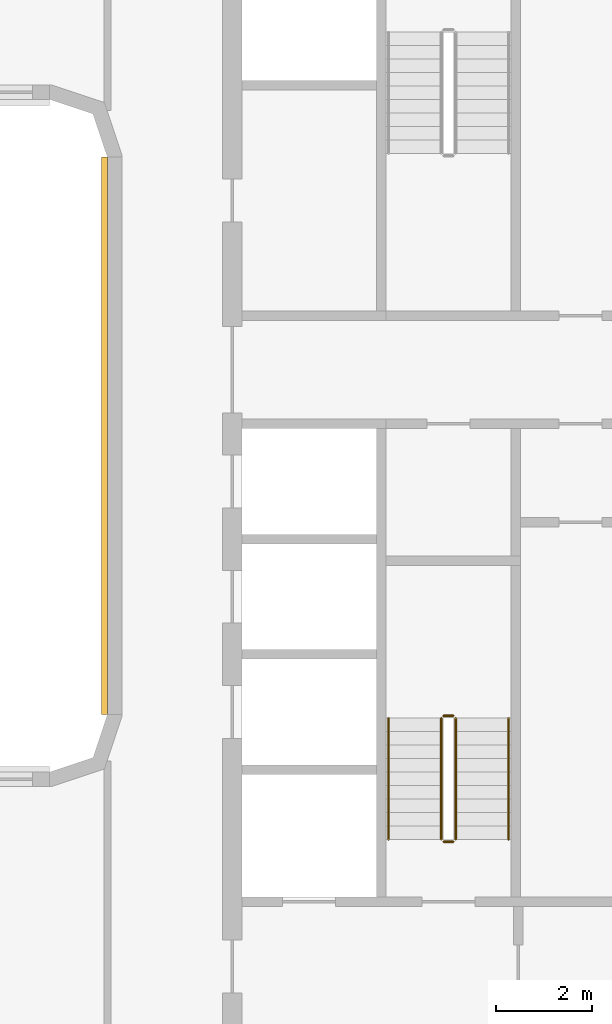
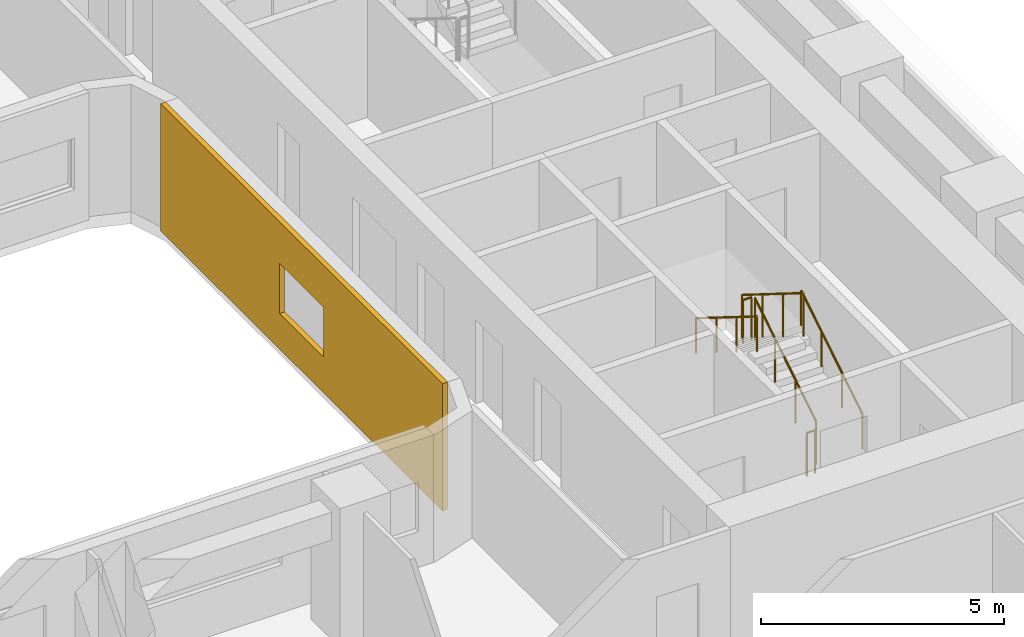
# One storey, part 16 of 21: 6 railings, 1 covering.
"""IFC4 building model written with IfcOpenShell, lengths in metres."""

from ifc_helpers import new_model, si_unit, direction, frame, origin, origin_2d, place, context, subcontext, project, spatial, polyline, circle, outline, extrude, material, layer, layer_set, type_object, element, save


model = new_model("IFC4")

# Units and contexts
model_context = context("Model", 3, precision=1e-05, world=origin(), true_north=direction((0.0, 1.0)))
body_context = subcontext(model_context, "Body", "Model", "MODEL_VIEW")
ifc_project = project(units=[si_unit("LENGTHUNIT", "METRE"), si_unit("AREAUNIT", "SQUARE_METRE"), si_unit("VOLUMEUNIT", "CUBIC_METRE"), si_unit("PLANEANGLEUNIT", "RADIAN"), si_unit("MASSUNIT", "GRAM", prefix="KILO")], contexts=[model_context])

# Site, building, storey
site_placement = place(None, origin())
site = spatial("IfcSite", under=ifc_project, at=site_placement, CompositionType="ELEMENT")
building_placement = place(site_placement, origin())
building = spatial("IfcBuilding", under=site, at=building_placement, Name="Kiln Ring Residences", CompositionType="ELEMENT")
storey_placement = place(building_placement, frame((0.0, 0.0, 34.0)))
storey = spatial("IfcBuildingStorey", under=building, at=storey_placement, Name="L07", CompositionType="ELEMENT", Elevation=34.0)

# Railings
ifc_material_1 = material(Name="Stainless steel", Category="steel")
railing_type_1 = type_object("IfcRailingType", Name="CORE-STAIR-GUARD", PredefinedType="GUARDRAIL", material=ifc_material_1)
railing_1_placement = place(storey_placement, frame((22.25, -8.39990234375, 0.175048828125)))
element("IfcRailing", 1, at=railing_1_placement, inside=storey, type_object=railing_type_1, Name="L07 E-STS stair guard 1", PredefinedType="GUARDRAIL", context=body_context, shape_type="SweptSolid", body=[
    extrude(circle(Radius=0.02392578125, at=origin_2d()), frame((0.0, 0.0, 1.076171875), z_axis=(0.0, 0.848007534815, 0.529984170421), x_axis=(-1.0, 0.0, 0.0)), (0.0, 0.0, 1.0), 2.9716796875),
    extrude(circle(Radius=0.02099609375, at=origin_2d()), origin(), (0.0, 0.0, 1.0), 1.052001953125),
    extrude(circle(Radius=0.02099609375, at=origin_2d()), frame((0.0, 0.840087890625, 0.52490234375)), (0.0, 0.0, 1.0), 1.052001953125),
    extrude(circle(Radius=0.02099609375, at=origin_2d()), frame((0.0, 1.679931640625, 1.050048828125)), (0.0, 0.0, 1.0), 1.052001953125),
    extrude(circle(Radius=0.02099609375, at=origin_2d()), frame((0.0, 2.52001953125, 1.574951171875)), (0.0, 0.0, 1.0), 1.052001953125),
])
railing_2_placement = place(storey_placement, frame((22.199951171875, -5.830078125, 1.75)))
element("IfcRailing", 2, at=railing_2_placement, inside=storey, type_object=railing_type_1, Name="L07 E-STS stair guard 2", PredefinedType="GUARDRAIL", context=body_context, shape_type="SweptSolid", body=[
    extrude(circle(Radius=0.02392578125, at=origin_2d()), frame((0.0, 0.0, 1.076171875), z_axis=(-1.0, 0.0, 0.0), x_axis=(0.0, -1.0, 0.0)), (0.0, 0.0, 1.0), 0.199951171875),
    extrude(circle(Radius=0.02099609375, at=origin_2d()), origin(), (0.0, 0.0, 1.0), 1.052001953125),
    extrude(circle(Radius=0.02099609375, at=origin_2d()), frame((-0.199951171875, 0.0, 0.0)), (0.0, 0.0, 1.0), 1.052001953125),
])
railing_3_placement = place(storey_placement, frame((21.949951171875, -5.8798828125, 1.925048828125)))
element("IfcRailing", 3, at=railing_3_placement, inside=storey, type_object=railing_type_1, Name="L07 E-STS stair guard 3", PredefinedType="GUARDRAIL", context=body_context, shape_type="SweptSolid", body=[
    extrude(circle(Radius=0.02392578125, at=origin_2d()), frame((0.0, 0.0, 1.076171875), z_axis=(0.0, -0.848007534815, 0.529984170421), x_axis=(1.0, 0.0, 0.0)), (0.0, 0.0, 1.0), 2.9716796875),
    extrude(circle(Radius=0.02099609375, at=origin_2d()), origin(), (0.0, 0.0, 1.0), 1.052001953125),
    extrude(circle(Radius=0.02099609375, at=origin_2d()), frame((0.0, -0.840087890625, 0.52490234375)), (0.0, 0.0, 1.0), 1.052001953125),
    extrude(circle(Radius=0.02099609375, at=origin_2d()), frame((0.0, -1.679931640625, 1.050048828125)), (0.0, 0.0, 1.0), 1.052001953125),
    extrude(circle(Radius=0.02099609375, at=origin_2d()), frame((0.0, -2.52001953125, 1.574951171875)), (0.0, 0.0, 1.0), 1.052001953125),
])
railing_4_placement = place(storey_placement, frame((22.199951171875, -8.449951171875, 0.0)))
element("IfcRailing", 4, at=railing_4_placement, inside=storey, type_object=railing_type_1, Name="L07 E-STS stair guard 4", PredefinedType="GUARDRAIL", context=body_context, shape_type="SweptSolid", body=[
    extrude(circle(Radius=0.02392578125, at=origin_2d()), frame((0.0, 0.0, 1.076171875), z_axis=(-1.0, 0.0, 0.0), x_axis=(0.0, -1.0, 0.0)), (0.0, 0.0, 1.0), 0.199951171875),
    extrude(circle(Radius=0.02099609375, at=origin_2d()), origin(), (0.0, 0.0, 1.0), 1.052001953125),
    extrude(circle(Radius=0.02099609375, at=origin_2d()), frame((-0.199951171875, 0.0, 0.0)), (0.0, 0.0, 1.0), 1.052001953125),
])
ifc_material_2 = material(Name="Stainless steel", Category="steel")
railing_type_2 = type_object("IfcRailingType", Name="CORE-STAIR-HANDRAIL", PredefinedType="HANDRAIL", material=ifc_material_2)
railing_5_placement = place(storey_placement, frame((23.35009765625, -8.39990234375, 0.175048828125)))
element("IfcRailing", 5, at=railing_5_placement, inside=storey, type_object=railing_type_2, Name="L07 E-STS stair handrail 1", PredefinedType="HANDRAIL", context=body_context, shape_type="SweptSolid", body=[
    extrude(circle(Radius=0.02392578125, at=origin_2d()), frame((0.0, 0.0, 0.8759765625), z_axis=(0.0, 0.848007534815, 0.529984170421), x_axis=(-1.0, 0.0, 0.0)), (0.0, 0.0, 1.0), 2.9716796875),
    extrude(circle(Radius=0.02099609375, at=origin_2d()), origin(), (0.0, 0.0, 1.0), 0.851806640625),
    extrude(circle(Radius=0.02099609375, at=origin_2d()), frame((0.0, 0.840087890625, 0.52490234375)), (0.0, 0.0, 1.0), 0.851806640625),
    extrude(circle(Radius=0.02099609375, at=origin_2d()), frame((0.0, 1.679931640625, 1.050048828125)), (0.0, 0.0, 1.0), 0.851806640625),
    extrude(circle(Radius=0.02099609375, at=origin_2d()), frame((0.0, 2.52001953125, 1.574951171875)), (0.0, 0.0, 1.0), 0.851806640625),
])
railing_6_placement = place(storey_placement, frame((20.85009765625, -5.8798828125, 1.925048828125)))
element("IfcRailing", 6, at=railing_6_placement, inside=storey, type_object=railing_type_2, Name="L07 E-STS stair handrail 2", PredefinedType="HANDRAIL", context=body_context, shape_type="SweptSolid", body=[
    extrude(circle(Radius=0.02392578125, at=origin_2d()), frame((0.0, 0.0, 0.8759765625), z_axis=(0.0, -0.848007534815, 0.529984170421), x_axis=(1.0, 0.0, 0.0)), (0.0, 0.0, 1.0), 2.9716796875),
    extrude(circle(Radius=0.02099609375, at=origin_2d()), origin(), (0.0, 0.0, 1.0), 0.851806640625),
    extrude(circle(Radius=0.02099609375, at=origin_2d()), frame((0.0, -0.840087890625, 0.52490234375)), (0.0, 0.0, 1.0), 0.851806640625),
    extrude(circle(Radius=0.02099609375, at=origin_2d()), frame((0.0, -1.679931640625, 1.050048828125)), (0.0, 0.0, 1.0), 0.851806640625),
    extrude(circle(Radius=0.02099609375, at=origin_2d()), frame((0.0, -2.52001953125, 1.574951171875)), (0.0, 0.0, 1.0), 0.851806640625),
])

# Covering
ifc_material_3 = material(Name="Brick masonry, dark clay brick", Category="masonry")
ifc_layer = layer(ifc_material_3, 0.1201171875)
ifc_layer_set = layer_set([ifc_layer], Name="RAINSCREEN PANEL 120")
covering_type = type_object("IfcCoveringType", Name="RAINSCREEN PANEL 120", PredefinedType="CLADDING", material=ifc_layer_set)
covering_placement = place(storey_placement, frame((14.93994140625, 5.800048828125, 0.0), z_axis=(0.0, 0.0, 1.0), x_axis=(0.0, -1.0, 0.0)))
element("IfcCovering", 7, at=covering_placement, inside=storey, type_object=covering_type, Name="RAINSCREEN L07", PredefinedType="CLADDING", context=body_context, shape_type="SweptSolid", body=[
    extrude(outline(polyline([(0.0, 0.0), (11.60009765625, 0.0), (11.60009765625, 3.199951171875), (0.0, 3.199951171875), (0.0, 0.0)]), holes=[polyline([(4.89990234375, 2.14990234375), (4.89990234375, 0.89990234375), (6.699951171875, 0.89990234375), (6.699951171875, 2.14990234375), (4.89990234375, 2.14990234375)])]), frame((0.0, 0.06005859375, 0.0), z_axis=(0.0, -1.0, 0.0), x_axis=(1.0, 0.0, 0.0)), (0.0, 0.0, 1.0), 0.1201171875),
])

save(model, "model.ifc")
